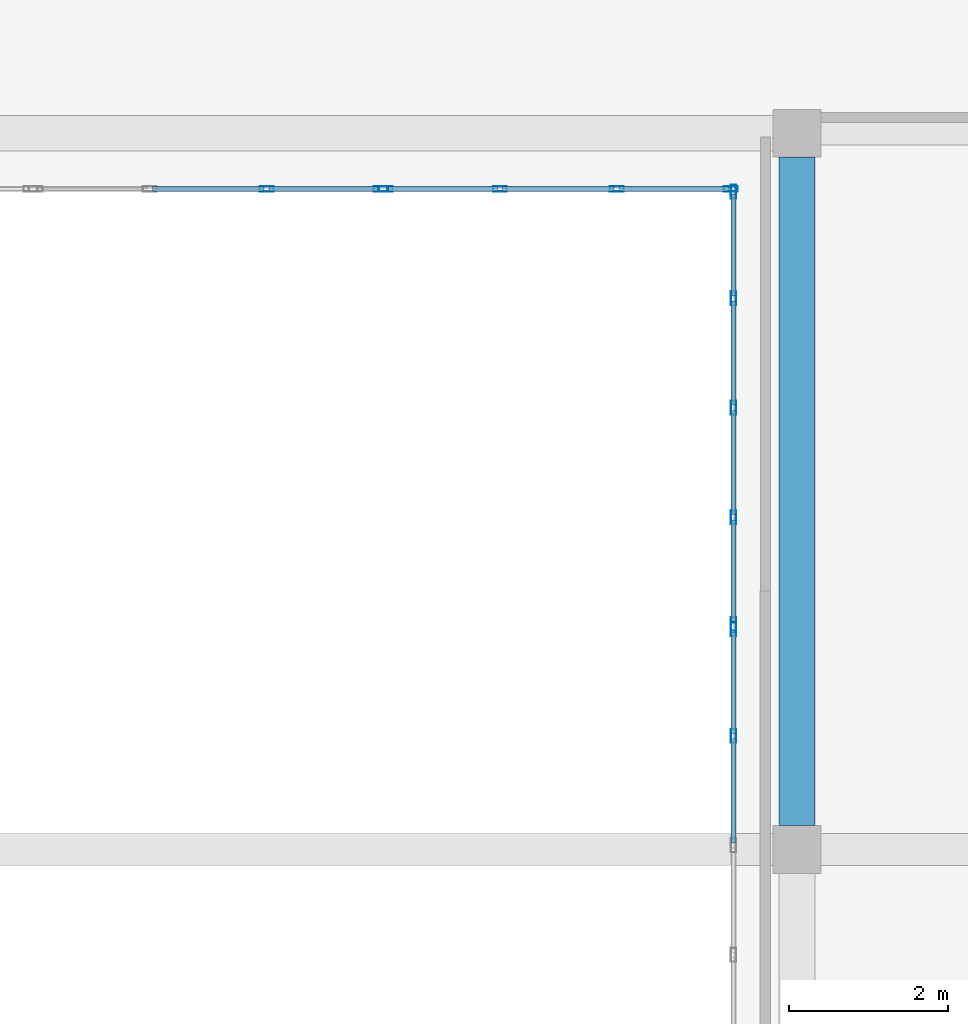
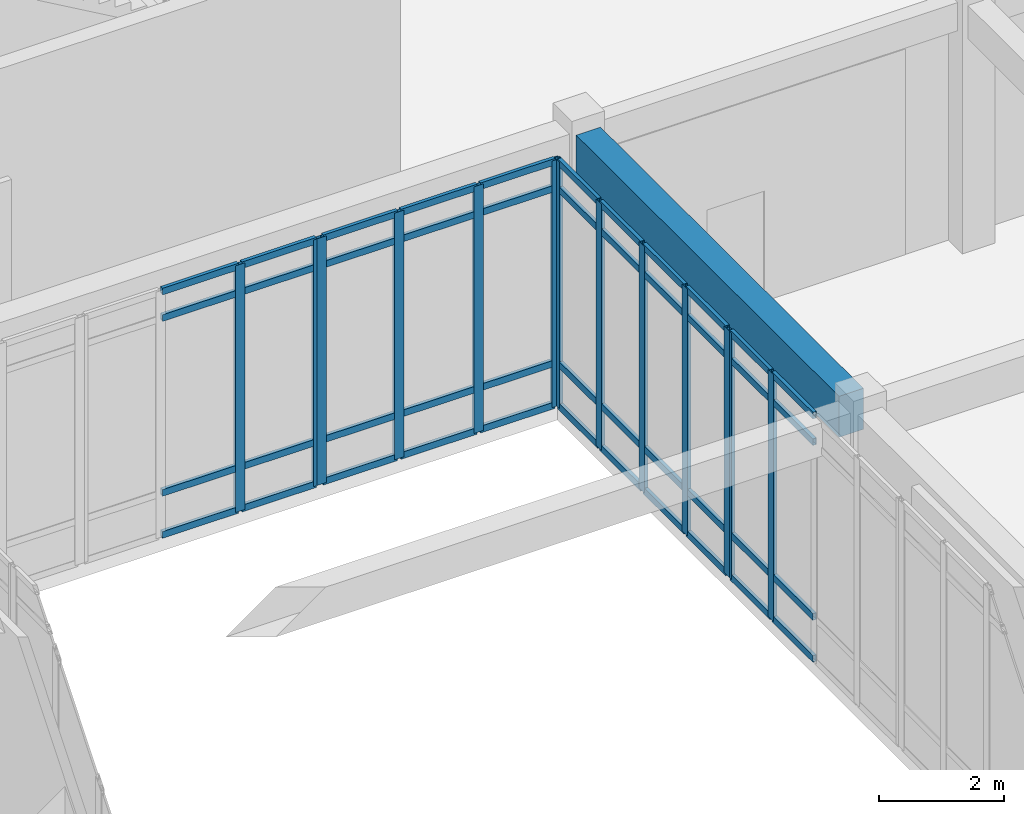
# One storey, part 71 of 121: 57 members, 1 beam, 4 elements without a shape of their own.
"""IFC4 building model written with IfcOpenShell, lengths in metres."""

from ifc_helpers import new_model, si_unit, direction, frame, origin, origin_2d, place, context, subcontext, project, spatial, rectangle, hollow_rectangle, extrude, material, layer, layer_set, material_profile, profile_set, type_object, element, aggregate, save


model = new_model("IFC4")

# Units and contexts
model_context = context("Model", 3, precision=1e-05, world=origin(), true_north=direction((0.0, 1.0)))
body_context = subcontext(model_context, "Body", "Model", "MODEL_VIEW")
ifc_project = project(units=[si_unit("LENGTHUNIT", "METRE"), si_unit("AREAUNIT", "SQUARE_METRE"), si_unit("VOLUMEUNIT", "CUBIC_METRE"), si_unit("PLANEANGLEUNIT", "RADIAN"), si_unit("MASSUNIT", "GRAM", prefix="KILO")], contexts=[model_context])

# Site, building, storey
site_placement = place(None, origin())
site = spatial("IfcSite", under=ifc_project, at=site_placement, CompositionType="ELEMENT")
building_placement = place(site_placement, origin())
building = spatial("IfcBuilding", under=site, at=building_placement, Name="Valcora Specialist Clinic", CompositionType="ELEMENT")
storey_placement = place(building_placement, origin())
storey = spatial("IfcBuildingStorey", under=building, at=storey_placement, Name="L00", CompositionType="ELEMENT", Elevation=0.0)

# Beam
ifc_material_1 = material(Name="Concrete C40/50", Category="concrete")
ifc_material_profile_1 = material_profile(ifc_material_1, rectangle(XDim=0.449951171875, YDim=0.800048828125, at=origin_2d()), Name="RC-BM-450X800")
ifc_profile_set_1 = profile_set([ifc_material_profile_1], Name="Concrete C40/50")
beam_type = type_object("IfcBeamType", Name="TY-BM-RC450X800", PredefinedType="BEAM", material=ifc_profile_set_1)
beam_placement = place(storey_placement, frame((126.0, 90.5, 4.409912109375), z_axis=(0.0, 1.0, 0.0), x_axis=(-1.0, 0.0, 0.0)))
element("IfcBeam", 1, at=beam_placement, inside=storey, type_object=beam_type, Name="Beam BM-L00-0604", PredefinedType="BEAM", context=body_context, shape_type="SweptSolid", body=[
    extrude(rectangle(XDim=0.449951171875, YDim=0.800048828125, at=origin_2d()), origin(), (0.0, 0.0, 1.0), 8.39990234375),
])

# Curtain wall, members
ifc_material_2 = material(Name="Anodized Bronze Aluminium 6063-T6", Category="aluminium")
ifc_layer = layer(ifc_material_2, 0.175048828125)
ifc_layer_set = layer_set([ifc_layer], Name="Anodized Bronze Aluminium 6063-T6")
curtain_wall_type = type_object("IfcCurtainWallType", Name="TY-CW-CRT15", PredefinedType="NOTDEFINED", material=ifc_layer_set)
curtain_wall_1_placement = place(storey_placement, origin())
curtain_wall_1 = element("IfcCurtainWall", 2, at=curtain_wall_1_placement, inside=storey, type_object=curtain_wall_type, Name="Curtain wall CW-L00-045", PredefinedType="NOTDEFINED")
ifc_material_profile_2 = material_profile(ifc_material_2, hollow_rectangle(XDim=0.06494140625, YDim=0.175048828125, WallThickness=0.00390625, at=origin_2d()), Name="AL-MUL-65X175")
ifc_profile_set_2 = profile_set([ifc_material_profile_2], Name="Anodized Bronze Aluminium 6063-T6")
member_type_1 = type_object("IfcMemberType", Name="TY-CWM-65X175", PredefinedType="MULLION", material=ifc_profile_set_2)
member_1_placement = place(storey_placement, frame((125.199951171875, 91.625, 0.0), z_axis=(0.0, 0.0, 1.0), x_axis=(-1.0, 0.0, 0.0)))
member_1 = element("IfcMember", 3, at=member_1_placement, type_object=member_type_1, Name="CW-CRT-15 mullion 4", PredefinedType="MULLION", context=body_context, shape_type="SweptSolid", body=[
    extrude(hollow_rectangle(XDim=0.06494140625, YDim=0.175048828125, WallThickness=0.00390625, at=origin_2d()), origin(), (0.0, 0.0, 1.0), 4.81005859375),
])
member_2_placement = place(storey_placement, frame((125.199951171875, 92.967529296875, 0.0), z_axis=(0.0, 0.0, 1.0), x_axis=(-1.0, 0.0, 0.0)))
member_2 = element("IfcMember", 4, at=member_2_placement, type_object=member_type_1, Name="CW-CRT-15 mullion 5", PredefinedType="MULLION", context=body_context, shape_type="SweptSolid", body=[
    extrude(hollow_rectangle(XDim=0.06494140625, YDim=0.175048828125, WallThickness=0.00390625, at=origin_2d()), origin(), (0.0, 0.0, 1.0), 4.81005859375),
])

curtain_wall_2_placement = place(storey_placement, origin())
curtain_wall_2 = element("IfcCurtainWall", 5, at=curtain_wall_2_placement, inside=storey, type_object=curtain_wall_type, Name="Curtain wall CW-L00-046", PredefinedType="NOTDEFINED")
member_3_placement = place(storey_placement, frame((125.199951171875, 93.032470703125, 0.0), z_axis=(0.0, 0.0, 1.0), x_axis=(-1.0, 0.0, 0.0)))
member_3 = element("IfcMember", 6, at=member_3_placement, type_object=member_type_1, Name="CW-CRT-15 mullion 1", PredefinedType="MULLION", context=body_context, shape_type="SweptSolid", body=[
    extrude(hollow_rectangle(XDim=0.06494140625, YDim=0.175048828125, WallThickness=0.00390625, at=origin_2d()), origin(), (0.0, 0.0, 1.0), 4.81005859375),
])
member_4_placement = place(storey_placement, frame((125.199951171875, 94.375, 0.0), z_axis=(0.0, 0.0, 1.0), x_axis=(-1.0, 0.0, 0.0)))
member_4 = element("IfcMember", 7, at=member_4_placement, type_object=member_type_1, Name="CW-CRT-15 mullion 2", PredefinedType="MULLION", context=body_context, shape_type="SweptSolid", body=[
    extrude(hollow_rectangle(XDim=0.06494140625, YDim=0.175048828125, WallThickness=0.00390625, at=origin_2d()), origin(), (0.0, 0.0, 1.0), 4.81005859375),
])
member_5_placement = place(storey_placement, frame((125.199951171875, 95.75, 0.0), z_axis=(0.0, 0.0, 1.0), x_axis=(-1.0, 0.0, 0.0)))
member_5 = element("IfcMember", 8, at=member_5_placement, type_object=member_type_1, Name="CW-CRT-15 mullion 3", PredefinedType="MULLION", context=body_context, shape_type="SweptSolid", body=[
    extrude(hollow_rectangle(XDim=0.06494140625, YDim=0.175048828125, WallThickness=0.00390625, at=origin_2d()), origin(), (0.0, 0.0, 1.0), 4.81005859375),
])
member_6_placement = place(storey_placement, frame((125.199951171875, 97.125, 0.0), z_axis=(0.0, 0.0, 1.0), x_axis=(-1.0, 0.0, 0.0)))
member_6 = element("IfcMember", 9, at=member_6_placement, type_object=member_type_1, Name="CW-CRT-15 mullion 4", PredefinedType="MULLION", context=body_context, shape_type="SweptSolid", body=[
    extrude(hollow_rectangle(XDim=0.06494140625, YDim=0.175048828125, WallThickness=0.00390625, at=origin_2d()), origin(), (0.0, 0.0, 1.0), 4.81005859375),
])
member_7_placement = place(storey_placement, frame((125.199951171875, 98.467529296875, 0.0), z_axis=(0.0, 0.0, 1.0), x_axis=(-1.0, 0.0, 0.0)))
member_7 = element("IfcMember", 10, at=member_7_placement, type_object=member_type_1, Name="CW-CRT-15 mullion 5", PredefinedType="MULLION", context=body_context, shape_type="SweptSolid", body=[
    extrude(hollow_rectangle(XDim=0.06494140625, YDim=0.175048828125, WallThickness=0.00390625, at=origin_2d()), origin(), (0.0, 0.0, 1.0), 4.81005859375),
])

curtain_wall_3_placement = place(storey_placement, origin())
curtain_wall_3 = element("IfcCurtainWall", 11, at=curtain_wall_3_placement, inside=storey, type_object=curtain_wall_type, Name="Curtain wall CW-L00-047", PredefinedType="NOTDEFINED")
member_8_placement = place(storey_placement, frame((125.16748046875, 98.5, 0.0), z_axis=(0.0, 0.0, 1.0), x_axis=(0.0, -1.0, 0.0)))
member_8 = element("IfcMember", 12, at=member_8_placement, type_object=member_type_1, Name="CW-CRT-15 mullion 1", PredefinedType="MULLION", context=body_context, shape_type="SweptSolid", body=[
    extrude(hollow_rectangle(XDim=0.06494140625, YDim=0.175048828125, WallThickness=0.00390625, at=origin_2d()), origin(), (0.0, 0.0, 1.0), 4.81005859375),
])
member_9_placement = place(storey_placement, frame((123.7333984375, 98.5, 0.0), z_axis=(0.0, 0.0, 1.0), x_axis=(0.0, -1.0, 0.0)))
member_9 = element("IfcMember", 13, at=member_9_placement, type_object=member_type_1, Name="CW-CRT-15 mullion 2", PredefinedType="MULLION", context=body_context, shape_type="SweptSolid", body=[
    extrude(hollow_rectangle(XDim=0.06494140625, YDim=0.175048828125, WallThickness=0.00390625, at=origin_2d()), origin(), (0.0, 0.0, 1.0), 4.81005859375),
])
member_10_placement = place(storey_placement, frame((122.2666015625, 98.5, 0.0), z_axis=(0.0, 0.0, 1.0), x_axis=(0.0, -1.0, 0.0)))
member_10 = element("IfcMember", 14, at=member_10_placement, type_object=member_type_1, Name="CW-CRT-15 mullion 3", PredefinedType="MULLION", context=body_context, shape_type="SweptSolid", body=[
    extrude(hollow_rectangle(XDim=0.06494140625, YDim=0.175048828125, WallThickness=0.00390625, at=origin_2d()), origin(), (0.0, 0.0, 1.0), 4.81005859375),
])
member_11_placement = place(storey_placement, frame((120.83251953125, 98.5, 0.0), z_axis=(0.0, 0.0, 1.0), x_axis=(0.0, -1.0, 0.0)))
member_11 = element("IfcMember", 15, at=member_11_placement, type_object=member_type_1, Name="CW-CRT-15 mullion 4", PredefinedType="MULLION", context=body_context, shape_type="SweptSolid", body=[
    extrude(hollow_rectangle(XDim=0.06494140625, YDim=0.175048828125, WallThickness=0.00390625, at=origin_2d()), origin(), (0.0, 0.0, 1.0), 4.81005859375),
])

curtain_wall_4_placement = place(storey_placement, origin())
curtain_wall_4 = element("IfcCurtainWall", 16, at=curtain_wall_4_placement, inside=storey, type_object=curtain_wall_type, Name="Curtain wall CW-L00-048", PredefinedType="NOTDEFINED")
member_12_placement = place(storey_placement, frame((120.767578125, 98.5, 0.0), z_axis=(0.0, 0.0, 1.0), x_axis=(0.0, -1.0, 0.0)))
member_12 = element("IfcMember", 17, at=member_12_placement, type_object=member_type_1, Name="CW-CRT-15 mullion 1", PredefinedType="MULLION", context=body_context, shape_type="SweptSolid", body=[
    extrude(hollow_rectangle(XDim=0.06494140625, YDim=0.175048828125, WallThickness=0.00390625, at=origin_2d()), origin(), (0.0, 0.0, 1.0), 4.81005859375),
])
member_13_placement = place(storey_placement, frame((119.333251953125, 98.5, 0.0), z_axis=(0.0, 0.0, 1.0), x_axis=(0.0, -1.0, 0.0)))
member_13 = element("IfcMember", 18, at=member_13_placement, type_object=member_type_1, Name="CW-CRT-15 mullion 2", PredefinedType="MULLION", context=body_context, shape_type="SweptSolid", body=[
    extrude(hollow_rectangle(XDim=0.06494140625, YDim=0.175048828125, WallThickness=0.00390625, at=origin_2d()), origin(), (0.0, 0.0, 1.0), 4.81005859375),
])

# Member
ifc_material_profile_3 = material_profile(ifc_material_2, hollow_rectangle(XDim=0.06494140625, YDim=0.1298828125, WallThickness=0.00390625, at=origin_2d()), Name="AL-TRN-65X130")
ifc_profile_set_3 = profile_set([ifc_material_profile_3], Name="Anodized Bronze Aluminium 6063-T6")
member_type_2 = type_object("IfcMemberType", Name="TY-CWT-65X130", PredefinedType="USERDEFINED", material=ifc_profile_set_3)
member_14_placement = place(storey_placement, frame((125.199951171875, 90.282470703125, 0.032470703125), z_axis=(0.0, 1.0, 0.0), x_axis=(-1.0, 0.0, 0.0)))
member_14 = element("IfcMember", 19, at=member_14_placement, type_object=member_type_2, Name="CW-CRT-15 transom 3.1", ObjectType="TRANSOM", PredefinedType="USERDEFINED", context=body_context, shape_type="SweptSolid", body=[
    extrude(hollow_rectangle(XDim=0.06494140625, YDim=0.1298828125, WallThickness=0.00390625, at=origin_2d()), origin(), (0.0, 0.0, 1.0), 1.31005859375),
])

member_15_placement = place(storey_placement, frame((125.199951171875, 90.282470703125, 0.85009765625), z_axis=(0.0, 1.0, 0.0), x_axis=(-1.0, 0.0, 0.0)))
member_15 = element("IfcMember", 20, at=member_15_placement, type_object=member_type_2, Name="CW-CRT-15 transom 3.2", ObjectType="TRANSOM", PredefinedType="USERDEFINED", context=body_context, shape_type="SweptSolid", body=[
    extrude(hollow_rectangle(XDim=0.06494140625, YDim=0.1298828125, WallThickness=0.00390625, at=origin_2d()), origin(), (0.0, 0.0, 1.0), 1.31005859375),
])

member_16_placement = place(storey_placement, frame((125.199951171875, 90.282470703125, 4.260009765625), z_axis=(0.0, 1.0, 0.0), x_axis=(-1.0, 0.0, 0.0)))
member_16 = element("IfcMember", 21, at=member_16_placement, type_object=member_type_2, Name="CW-CRT-15 transom 3.3", ObjectType="TRANSOM", PredefinedType="USERDEFINED", context=body_context, shape_type="SweptSolid", body=[
    extrude(hollow_rectangle(XDim=0.06494140625, YDim=0.1298828125, WallThickness=0.00390625, at=origin_2d()), origin(), (0.0, 0.0, 1.0), 1.31005859375),
])

member_17_placement = place(storey_placement, frame((125.199951171875, 90.282470703125, 4.777587890625), z_axis=(0.0, 1.0, 0.0), x_axis=(-1.0, 0.0, 0.0)))
member_17 = element("IfcMember", 22, at=member_17_placement, type_object=member_type_2, Name="CW-CRT-15 transom 3.4", ObjectType="TRANSOM", PredefinedType="USERDEFINED", context=body_context, shape_type="SweptSolid", body=[
    extrude(hollow_rectangle(XDim=0.06494140625, YDim=0.1298828125, WallThickness=0.00390625, at=origin_2d()), origin(), (0.0, 0.0, 1.0), 1.31005859375),
])

member_18_placement = place(storey_placement, frame((125.199951171875, 91.657470703125, 0.032470703125), z_axis=(0.0, 1.0, 0.0), x_axis=(-1.0, 0.0, 0.0)))
member_18 = element("IfcMember", 23, at=member_18_placement, type_object=member_type_2, Name="CW-CRT-15 transom 4.1", ObjectType="TRANSOM", PredefinedType="USERDEFINED", context=body_context, shape_type="SweptSolid", body=[
    extrude(hollow_rectangle(XDim=0.06494140625, YDim=0.1298828125, WallThickness=0.00390625, at=origin_2d()), origin(), (0.0, 0.0, 1.0), 1.277587890625),
])

member_19_placement = place(storey_placement, frame((125.199951171875, 91.657470703125, 0.85009765625), z_axis=(0.0, 1.0, 0.0), x_axis=(-1.0, 0.0, 0.0)))
member_19 = element("IfcMember", 24, at=member_19_placement, type_object=member_type_2, Name="CW-CRT-15 transom 4.2", ObjectType="TRANSOM", PredefinedType="USERDEFINED", context=body_context, shape_type="SweptSolid", body=[
    extrude(hollow_rectangle(XDim=0.06494140625, YDim=0.1298828125, WallThickness=0.00390625, at=origin_2d()), origin(), (0.0, 0.0, 1.0), 1.277587890625),
])

member_20_placement = place(storey_placement, frame((125.199951171875, 91.657470703125, 4.260009765625), z_axis=(0.0, 1.0, 0.0), x_axis=(-1.0, 0.0, 0.0)))
member_20 = element("IfcMember", 25, at=member_20_placement, type_object=member_type_2, Name="CW-CRT-15 transom 4.3", ObjectType="TRANSOM", PredefinedType="USERDEFINED", context=body_context, shape_type="SweptSolid", body=[
    extrude(hollow_rectangle(XDim=0.06494140625, YDim=0.1298828125, WallThickness=0.00390625, at=origin_2d()), origin(), (0.0, 0.0, 1.0), 1.277587890625),
])

member_21_placement = place(storey_placement, frame((125.199951171875, 91.657470703125, 4.777587890625), z_axis=(0.0, 1.0, 0.0), x_axis=(-1.0, 0.0, 0.0)))
member_21 = element("IfcMember", 26, at=member_21_placement, type_object=member_type_2, Name="CW-CRT-15 transom 4.4", ObjectType="TRANSOM", PredefinedType="USERDEFINED", context=body_context, shape_type="SweptSolid", body=[
    extrude(hollow_rectangle(XDim=0.06494140625, YDim=0.1298828125, WallThickness=0.00390625, at=origin_2d()), origin(), (0.0, 0.0, 1.0), 1.277587890625),
])

aggregate(curtain_wall_1, [member_1, member_2, member_14, member_15, member_16, member_17, member_18, member_19, member_20, member_21])

member_22_placement = place(storey_placement, frame((125.199951171875, 93.06494140625, 0.032470703125), z_axis=(0.0, 1.0, 0.0), x_axis=(-1.0, 0.0, 0.0)))
member_22 = element("IfcMember", 27, at=member_22_placement, type_object=member_type_2, Name="CW-CRT-15 transom 1.1", ObjectType="TRANSOM", PredefinedType="USERDEFINED", context=body_context, shape_type="SweptSolid", body=[
    extrude(hollow_rectangle(XDim=0.06494140625, YDim=0.1298828125, WallThickness=0.00390625, at=origin_2d()), origin(), (0.0, 0.0, 1.0), 1.277587890625),
])

member_23_placement = place(storey_placement, frame((125.199951171875, 93.06494140625, 0.85009765625), z_axis=(0.0, 1.0, 0.0), x_axis=(-1.0, 0.0, 0.0)))
member_23 = element("IfcMember", 28, at=member_23_placement, type_object=member_type_2, Name="CW-CRT-15 transom 1.2", ObjectType="TRANSOM", PredefinedType="USERDEFINED", context=body_context, shape_type="SweptSolid", body=[
    extrude(hollow_rectangle(XDim=0.06494140625, YDim=0.1298828125, WallThickness=0.00390625, at=origin_2d()), origin(), (0.0, 0.0, 1.0), 1.277587890625),
])

member_24_placement = place(storey_placement, frame((125.199951171875, 93.06494140625, 4.260009765625), z_axis=(0.0, 1.0, 0.0), x_axis=(-1.0, 0.0, 0.0)))
member_24 = element("IfcMember", 29, at=member_24_placement, type_object=member_type_2, Name="CW-CRT-15 transom 1.3", ObjectType="TRANSOM", PredefinedType="USERDEFINED", context=body_context, shape_type="SweptSolid", body=[
    extrude(hollow_rectangle(XDim=0.06494140625, YDim=0.1298828125, WallThickness=0.00390625, at=origin_2d()), origin(), (0.0, 0.0, 1.0), 1.277587890625),
])

member_25_placement = place(storey_placement, frame((125.199951171875, 93.06494140625, 4.777587890625), z_axis=(0.0, 1.0, 0.0), x_axis=(-1.0, 0.0, 0.0)))
member_25 = element("IfcMember", 30, at=member_25_placement, type_object=member_type_2, Name="CW-CRT-15 transom 1.4", ObjectType="TRANSOM", PredefinedType="USERDEFINED", context=body_context, shape_type="SweptSolid", body=[
    extrude(hollow_rectangle(XDim=0.06494140625, YDim=0.1298828125, WallThickness=0.00390625, at=origin_2d()), origin(), (0.0, 0.0, 1.0), 1.277587890625),
])

member_26_placement = place(storey_placement, frame((125.199951171875, 94.407470703125, 0.032470703125), z_axis=(0.0, 1.0, 0.0), x_axis=(-1.0, 0.0, 0.0)))
member_26 = element("IfcMember", 31, at=member_26_placement, type_object=member_type_2, Name="CW-CRT-15 transom 2.1", ObjectType="TRANSOM", PredefinedType="USERDEFINED", context=body_context, shape_type="SweptSolid", body=[
    extrude(hollow_rectangle(XDim=0.06494140625, YDim=0.1298828125, WallThickness=0.00390625, at=origin_2d()), origin(), (0.0, 0.0, 1.0), 1.31005859375),
])

member_27_placement = place(storey_placement, frame((125.199951171875, 94.407470703125, 0.85009765625), z_axis=(0.0, 1.0, 0.0), x_axis=(-1.0, 0.0, 0.0)))
member_27 = element("IfcMember", 32, at=member_27_placement, type_object=member_type_2, Name="CW-CRT-15 transom 2.2", ObjectType="TRANSOM", PredefinedType="USERDEFINED", context=body_context, shape_type="SweptSolid", body=[
    extrude(hollow_rectangle(XDim=0.06494140625, YDim=0.1298828125, WallThickness=0.00390625, at=origin_2d()), origin(), (0.0, 0.0, 1.0), 1.31005859375),
])

member_28_placement = place(storey_placement, frame((125.199951171875, 94.407470703125, 4.260009765625), z_axis=(0.0, 1.0, 0.0), x_axis=(-1.0, 0.0, 0.0)))
member_28 = element("IfcMember", 33, at=member_28_placement, type_object=member_type_2, Name="CW-CRT-15 transom 2.3", ObjectType="TRANSOM", PredefinedType="USERDEFINED", context=body_context, shape_type="SweptSolid", body=[
    extrude(hollow_rectangle(XDim=0.06494140625, YDim=0.1298828125, WallThickness=0.00390625, at=origin_2d()), origin(), (0.0, 0.0, 1.0), 1.31005859375),
])

member_29_placement = place(storey_placement, frame((125.199951171875, 94.407470703125, 4.777587890625), z_axis=(0.0, 1.0, 0.0), x_axis=(-1.0, 0.0, 0.0)))
member_29 = element("IfcMember", 34, at=member_29_placement, type_object=member_type_2, Name="CW-CRT-15 transom 2.4", ObjectType="TRANSOM", PredefinedType="USERDEFINED", context=body_context, shape_type="SweptSolid", body=[
    extrude(hollow_rectangle(XDim=0.06494140625, YDim=0.1298828125, WallThickness=0.00390625, at=origin_2d()), origin(), (0.0, 0.0, 1.0), 1.31005859375),
])

member_30_placement = place(storey_placement, frame((125.199951171875, 95.782470703125, 0.032470703125), z_axis=(0.0, 1.0, 0.0), x_axis=(-1.0, 0.0, 0.0)))
member_30 = element("IfcMember", 35, at=member_30_placement, type_object=member_type_2, Name="CW-CRT-15 transom 3.1", ObjectType="TRANSOM", PredefinedType="USERDEFINED", context=body_context, shape_type="SweptSolid", body=[
    extrude(hollow_rectangle(XDim=0.06494140625, YDim=0.1298828125, WallThickness=0.00390625, at=origin_2d()), origin(), (0.0, 0.0, 1.0), 1.31005859375),
])

member_31_placement = place(storey_placement, frame((125.199951171875, 95.782470703125, 0.85009765625), z_axis=(0.0, 1.0, 0.0), x_axis=(-1.0, 0.0, 0.0)))
member_31 = element("IfcMember", 36, at=member_31_placement, type_object=member_type_2, Name="CW-CRT-15 transom 3.2", ObjectType="TRANSOM", PredefinedType="USERDEFINED", context=body_context, shape_type="SweptSolid", body=[
    extrude(hollow_rectangle(XDim=0.06494140625, YDim=0.1298828125, WallThickness=0.00390625, at=origin_2d()), origin(), (0.0, 0.0, 1.0), 1.31005859375),
])

member_32_placement = place(storey_placement, frame((125.199951171875, 95.782470703125, 4.260009765625), z_axis=(0.0, 1.0, 0.0), x_axis=(-1.0, 0.0, 0.0)))
member_32 = element("IfcMember", 37, at=member_32_placement, type_object=member_type_2, Name="CW-CRT-15 transom 3.3", ObjectType="TRANSOM", PredefinedType="USERDEFINED", context=body_context, shape_type="SweptSolid", body=[
    extrude(hollow_rectangle(XDim=0.06494140625, YDim=0.1298828125, WallThickness=0.00390625, at=origin_2d()), origin(), (0.0, 0.0, 1.0), 1.31005859375),
])

member_33_placement = place(storey_placement, frame((125.199951171875, 95.782470703125, 4.777587890625), z_axis=(0.0, 1.0, 0.0), x_axis=(-1.0, 0.0, 0.0)))
member_33 = element("IfcMember", 38, at=member_33_placement, type_object=member_type_2, Name="CW-CRT-15 transom 3.4", ObjectType="TRANSOM", PredefinedType="USERDEFINED", context=body_context, shape_type="SweptSolid", body=[
    extrude(hollow_rectangle(XDim=0.06494140625, YDim=0.1298828125, WallThickness=0.00390625, at=origin_2d()), origin(), (0.0, 0.0, 1.0), 1.31005859375),
])

member_34_placement = place(storey_placement, frame((125.199951171875, 97.157470703125, 0.032470703125), z_axis=(0.0, 1.0, 0.0), x_axis=(-1.0, 0.0, 0.0)))
member_34 = element("IfcMember", 39, at=member_34_placement, type_object=member_type_2, Name="CW-CRT-15 transom 4.1", ObjectType="TRANSOM", PredefinedType="USERDEFINED", context=body_context, shape_type="SweptSolid", body=[
    extrude(hollow_rectangle(XDim=0.06494140625, YDim=0.1298828125, WallThickness=0.00390625, at=origin_2d()), origin(), (0.0, 0.0, 1.0), 1.277587890625),
])

member_35_placement = place(storey_placement, frame((125.199951171875, 97.157470703125, 0.85009765625), z_axis=(0.0, 1.0, 0.0), x_axis=(-1.0, 0.0, 0.0)))
member_35 = element("IfcMember", 40, at=member_35_placement, type_object=member_type_2, Name="CW-CRT-15 transom 4.2", ObjectType="TRANSOM", PredefinedType="USERDEFINED", context=body_context, shape_type="SweptSolid", body=[
    extrude(hollow_rectangle(XDim=0.06494140625, YDim=0.1298828125, WallThickness=0.00390625, at=origin_2d()), origin(), (0.0, 0.0, 1.0), 1.277587890625),
])

member_36_placement = place(storey_placement, frame((125.199951171875, 97.157470703125, 4.260009765625), z_axis=(0.0, 1.0, 0.0), x_axis=(-1.0, 0.0, 0.0)))
member_36 = element("IfcMember", 41, at=member_36_placement, type_object=member_type_2, Name="CW-CRT-15 transom 4.3", ObjectType="TRANSOM", PredefinedType="USERDEFINED", context=body_context, shape_type="SweptSolid", body=[
    extrude(hollow_rectangle(XDim=0.06494140625, YDim=0.1298828125, WallThickness=0.00390625, at=origin_2d()), origin(), (0.0, 0.0, 1.0), 1.277587890625),
])

member_37_placement = place(storey_placement, frame((125.199951171875, 97.157470703125, 4.777587890625), z_axis=(0.0, 1.0, 0.0), x_axis=(-1.0, 0.0, 0.0)))
member_37 = element("IfcMember", 42, at=member_37_placement, type_object=member_type_2, Name="CW-CRT-15 transom 4.4", ObjectType="TRANSOM", PredefinedType="USERDEFINED", context=body_context, shape_type="SweptSolid", body=[
    extrude(hollow_rectangle(XDim=0.06494140625, YDim=0.1298828125, WallThickness=0.00390625, at=origin_2d()), origin(), (0.0, 0.0, 1.0), 1.277587890625),
])

aggregate(curtain_wall_2, [member_3, member_4, member_5, member_6, member_7, member_22, member_23, member_24, member_25, member_26, member_27, member_28, member_29, member_30, member_31, member_32, member_33, member_34, member_35, member_36, member_37])

member_38_placement = place(storey_placement, frame((125.135009765625, 98.5, 0.032470703125), z_axis=(-1.0, 0.0, 0.0), x_axis=(0.0, -1.0, 0.0)))
member_38 = element("IfcMember", 43, at=member_38_placement, type_object=member_type_2, Name="CW-CRT-15 transom 1.1", ObjectType="TRANSOM", PredefinedType="USERDEFINED", context=body_context, shape_type="SweptSolid", body=[
    extrude(hollow_rectangle(XDim=0.06494140625, YDim=0.1298828125, WallThickness=0.00390625, at=origin_2d()), origin(), (0.0, 0.0, 1.0), 1.369140625),
])

member_39_placement = place(storey_placement, frame((125.135009765625, 98.5, 0.85009765625), z_axis=(-1.0, 0.0, 0.0), x_axis=(0.0, -1.0, 0.0)))
member_39 = element("IfcMember", 44, at=member_39_placement, type_object=member_type_2, Name="CW-CRT-15 transom 1.2", ObjectType="TRANSOM", PredefinedType="USERDEFINED", context=body_context, shape_type="SweptSolid", body=[
    extrude(hollow_rectangle(XDim=0.06494140625, YDim=0.1298828125, WallThickness=0.00390625, at=origin_2d()), origin(), (0.0, 0.0, 1.0), 1.369140625),
])

member_40_placement = place(storey_placement, frame((125.135009765625, 98.5, 4.260009765625), z_axis=(-1.0, 0.0, 0.0), x_axis=(0.0, -1.0, 0.0)))
member_40 = element("IfcMember", 45, at=member_40_placement, type_object=member_type_2, Name="CW-CRT-15 transom 1.3", ObjectType="TRANSOM", PredefinedType="USERDEFINED", context=body_context, shape_type="SweptSolid", body=[
    extrude(hollow_rectangle(XDim=0.06494140625, YDim=0.1298828125, WallThickness=0.00390625, at=origin_2d()), origin(), (0.0, 0.0, 1.0), 1.369140625),
])

member_41_placement = place(storey_placement, frame((125.135009765625, 98.5, 4.777587890625), z_axis=(-1.0, 0.0, 0.0), x_axis=(0.0, -1.0, 0.0)))
member_41 = element("IfcMember", 46, at=member_41_placement, type_object=member_type_2, Name="CW-CRT-15 transom 1.4", ObjectType="TRANSOM", PredefinedType="USERDEFINED", context=body_context, shape_type="SweptSolid", body=[
    extrude(hollow_rectangle(XDim=0.06494140625, YDim=0.1298828125, WallThickness=0.00390625, at=origin_2d()), origin(), (0.0, 0.0, 1.0), 1.369140625),
])

member_42_placement = place(storey_placement, frame((123.700927734375, 98.5, 0.032470703125), z_axis=(-1.0, 0.0, 0.0), x_axis=(0.0, -1.0, 0.0)))
member_42 = element("IfcMember", 47, at=member_42_placement, type_object=member_type_2, Name="CW-CRT-15 transom 2.1", ObjectType="TRANSOM", PredefinedType="USERDEFINED", context=body_context, shape_type="SweptSolid", body=[
    extrude(hollow_rectangle(XDim=0.06494140625, YDim=0.1298828125, WallThickness=0.00390625, at=origin_2d()), origin(), (0.0, 0.0, 1.0), 1.40185546875),
])

member_43_placement = place(storey_placement, frame((123.700927734375, 98.5, 0.85009765625), z_axis=(-1.0, 0.0, 0.0), x_axis=(0.0, -1.0, 0.0)))
member_43 = element("IfcMember", 48, at=member_43_placement, type_object=member_type_2, Name="CW-CRT-15 transom 2.2", ObjectType="TRANSOM", PredefinedType="USERDEFINED", context=body_context, shape_type="SweptSolid", body=[
    extrude(hollow_rectangle(XDim=0.06494140625, YDim=0.1298828125, WallThickness=0.00390625, at=origin_2d()), origin(), (0.0, 0.0, 1.0), 1.40185546875),
])

member_44_placement = place(storey_placement, frame((123.700927734375, 98.5, 4.260009765625), z_axis=(-1.0, 0.0, 0.0), x_axis=(0.0, -1.0, 0.0)))
member_44 = element("IfcMember", 49, at=member_44_placement, type_object=member_type_2, Name="CW-CRT-15 transom 2.3", ObjectType="TRANSOM", PredefinedType="USERDEFINED", context=body_context, shape_type="SweptSolid", body=[
    extrude(hollow_rectangle(XDim=0.06494140625, YDim=0.1298828125, WallThickness=0.00390625, at=origin_2d()), origin(), (0.0, 0.0, 1.0), 1.40185546875),
])

member_45_placement = place(storey_placement, frame((123.700927734375, 98.5, 4.777587890625), z_axis=(-1.0, 0.0, 0.0), x_axis=(0.0, -1.0, 0.0)))
member_45 = element("IfcMember", 50, at=member_45_placement, type_object=member_type_2, Name="CW-CRT-15 transom 2.4", ObjectType="TRANSOM", PredefinedType="USERDEFINED", context=body_context, shape_type="SweptSolid", body=[
    extrude(hollow_rectangle(XDim=0.06494140625, YDim=0.1298828125, WallThickness=0.00390625, at=origin_2d()), origin(), (0.0, 0.0, 1.0), 1.40185546875),
])

member_46_placement = place(storey_placement, frame((122.234130859375, 98.5, 0.032470703125), z_axis=(-1.0, 0.0, 0.0), x_axis=(0.0, -1.0, 0.0)))
member_46 = element("IfcMember", 51, at=member_46_placement, type_object=member_type_2, Name="CW-CRT-15 transom 3.1", ObjectType="TRANSOM", PredefinedType="USERDEFINED", context=body_context, shape_type="SweptSolid", body=[
    extrude(hollow_rectangle(XDim=0.06494140625, YDim=0.1298828125, WallThickness=0.00390625, at=origin_2d()), origin(), (0.0, 0.0, 1.0), 1.369140625),
])

member_47_placement = place(storey_placement, frame((122.234130859375, 98.5, 0.85009765625), z_axis=(-1.0, 0.0, 0.0), x_axis=(0.0, -1.0, 0.0)))
member_47 = element("IfcMember", 52, at=member_47_placement, type_object=member_type_2, Name="CW-CRT-15 transom 3.2", ObjectType="TRANSOM", PredefinedType="USERDEFINED", context=body_context, shape_type="SweptSolid", body=[
    extrude(hollow_rectangle(XDim=0.06494140625, YDim=0.1298828125, WallThickness=0.00390625, at=origin_2d()), origin(), (0.0, 0.0, 1.0), 1.369140625),
])

member_48_placement = place(storey_placement, frame((122.234130859375, 98.5, 4.260009765625), z_axis=(-1.0, 0.0, 0.0), x_axis=(0.0, -1.0, 0.0)))
member_48 = element("IfcMember", 53, at=member_48_placement, type_object=member_type_2, Name="CW-CRT-15 transom 3.3", ObjectType="TRANSOM", PredefinedType="USERDEFINED", context=body_context, shape_type="SweptSolid", body=[
    extrude(hollow_rectangle(XDim=0.06494140625, YDim=0.1298828125, WallThickness=0.00390625, at=origin_2d()), origin(), (0.0, 0.0, 1.0), 1.369140625),
])

member_49_placement = place(storey_placement, frame((122.234130859375, 98.5, 4.777587890625), z_axis=(-1.0, 0.0, 0.0), x_axis=(0.0, -1.0, 0.0)))
member_49 = element("IfcMember", 54, at=member_49_placement, type_object=member_type_2, Name="CW-CRT-15 transom 3.4", ObjectType="TRANSOM", PredefinedType="USERDEFINED", context=body_context, shape_type="SweptSolid", body=[
    extrude(hollow_rectangle(XDim=0.06494140625, YDim=0.1298828125, WallThickness=0.00390625, at=origin_2d()), origin(), (0.0, 0.0, 1.0), 1.369140625),
])

aggregate(curtain_wall_3, [member_8, member_9, member_10, member_11, member_38, member_39, member_40, member_41, member_42, member_43, member_44, member_45, member_46, member_47, member_48, member_49])

member_50_placement = place(storey_placement, frame((120.735107421875, 98.5, 0.032470703125), z_axis=(-1.0, 0.0, 0.0), x_axis=(0.0, -1.0, 0.0)))
member_50 = element("IfcMember", 55, at=member_50_placement, type_object=member_type_2, Name="CW-CRT-15 transom 1.1", ObjectType="TRANSOM", PredefinedType="USERDEFINED", context=body_context, shape_type="SweptSolid", body=[
    extrude(hollow_rectangle(XDim=0.06494140625, YDim=0.1298828125, WallThickness=0.00390625, at=origin_2d()), origin(), (0.0, 0.0, 1.0), 1.369384765625),
])

member_51_placement = place(storey_placement, frame((120.735107421875, 98.5, 0.85009765625), z_axis=(-1.0, 0.0, 0.0), x_axis=(0.0, -1.0, 0.0)))
member_51 = element("IfcMember", 56, at=member_51_placement, type_object=member_type_2, Name="CW-CRT-15 transom 1.2", ObjectType="TRANSOM", PredefinedType="USERDEFINED", context=body_context, shape_type="SweptSolid", body=[
    extrude(hollow_rectangle(XDim=0.06494140625, YDim=0.1298828125, WallThickness=0.00390625, at=origin_2d()), origin(), (0.0, 0.0, 1.0), 1.369384765625),
])

member_52_placement = place(storey_placement, frame((120.735107421875, 98.5, 4.260009765625), z_axis=(-1.0, 0.0, 0.0), x_axis=(0.0, -1.0, 0.0)))
member_52 = element("IfcMember", 57, at=member_52_placement, type_object=member_type_2, Name="CW-CRT-15 transom 1.3", ObjectType="TRANSOM", PredefinedType="USERDEFINED", context=body_context, shape_type="SweptSolid", body=[
    extrude(hollow_rectangle(XDim=0.06494140625, YDim=0.1298828125, WallThickness=0.00390625, at=origin_2d()), origin(), (0.0, 0.0, 1.0), 1.369384765625),
])

member_53_placement = place(storey_placement, frame((120.735107421875, 98.5, 4.777587890625), z_axis=(-1.0, 0.0, 0.0), x_axis=(0.0, -1.0, 0.0)))
member_53 = element("IfcMember", 58, at=member_53_placement, type_object=member_type_2, Name="CW-CRT-15 transom 1.4", ObjectType="TRANSOM", PredefinedType="USERDEFINED", context=body_context, shape_type="SweptSolid", body=[
    extrude(hollow_rectangle(XDim=0.06494140625, YDim=0.1298828125, WallThickness=0.00390625, at=origin_2d()), origin(), (0.0, 0.0, 1.0), 1.369384765625),
])

member_54_placement = place(storey_placement, frame((119.30078125, 98.5, 0.032470703125), z_axis=(-1.0, 0.0, 0.0), x_axis=(0.0, -1.0, 0.0)))
member_54 = element("IfcMember", 59, at=member_54_placement, type_object=member_type_2, Name="CW-CRT-15 transom 2.1", ObjectType="TRANSOM", PredefinedType="USERDEFINED", context=body_context, shape_type="SweptSolid", body=[
    extrude(hollow_rectangle(XDim=0.06494140625, YDim=0.1298828125, WallThickness=0.00390625, at=origin_2d()), origin(), (0.0, 0.0, 1.0), 1.401611328125),
])

member_55_placement = place(storey_placement, frame((119.30078125, 98.5, 0.85009765625), z_axis=(-1.0, 0.0, 0.0), x_axis=(0.0, -1.0, 0.0)))
member_55 = element("IfcMember", 60, at=member_55_placement, type_object=member_type_2, Name="CW-CRT-15 transom 2.2", ObjectType="TRANSOM", PredefinedType="USERDEFINED", context=body_context, shape_type="SweptSolid", body=[
    extrude(hollow_rectangle(XDim=0.06494140625, YDim=0.1298828125, WallThickness=0.00390625, at=origin_2d()), origin(), (0.0, 0.0, 1.0), 1.401611328125),
])

member_56_placement = place(storey_placement, frame((119.30078125, 98.5, 4.260009765625), z_axis=(-1.0, 0.0, 0.0), x_axis=(0.0, -1.0, 0.0)))
member_56 = element("IfcMember", 61, at=member_56_placement, type_object=member_type_2, Name="CW-CRT-15 transom 2.3", ObjectType="TRANSOM", PredefinedType="USERDEFINED", context=body_context, shape_type="SweptSolid", body=[
    extrude(hollow_rectangle(XDim=0.06494140625, YDim=0.1298828125, WallThickness=0.00390625, at=origin_2d()), origin(), (0.0, 0.0, 1.0), 1.401611328125),
])

member_57_placement = place(storey_placement, frame((119.30078125, 98.5, 4.777587890625), z_axis=(-1.0, 0.0, 0.0), x_axis=(0.0, -1.0, 0.0)))
member_57 = element("IfcMember", 62, at=member_57_placement, type_object=member_type_2, Name="CW-CRT-15 transom 2.4", ObjectType="TRANSOM", PredefinedType="USERDEFINED", context=body_context, shape_type="SweptSolid", body=[
    extrude(hollow_rectangle(XDim=0.06494140625, YDim=0.1298828125, WallThickness=0.00390625, at=origin_2d()), origin(), (0.0, 0.0, 1.0), 1.401611328125),
])

aggregate(curtain_wall_4, [member_12, member_13, member_50, member_51, member_52, member_53, member_54, member_55, member_56, member_57])

save(model, "model.ifc")
